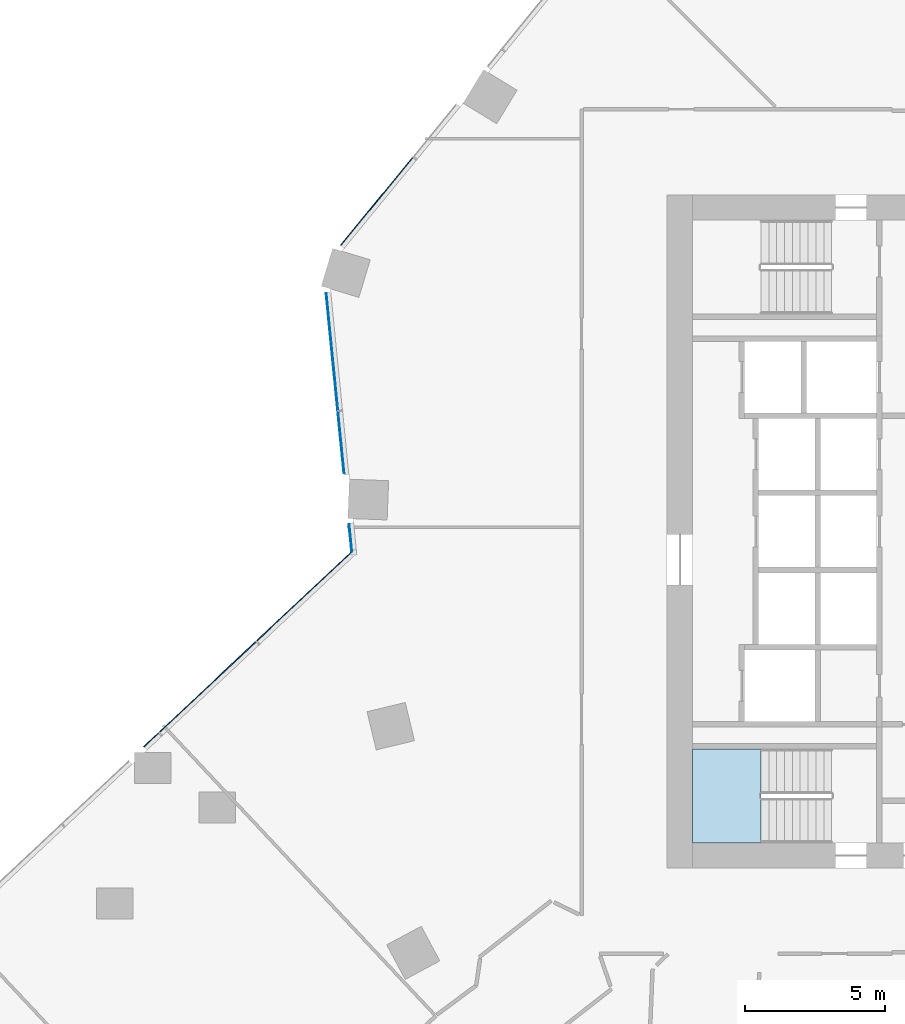
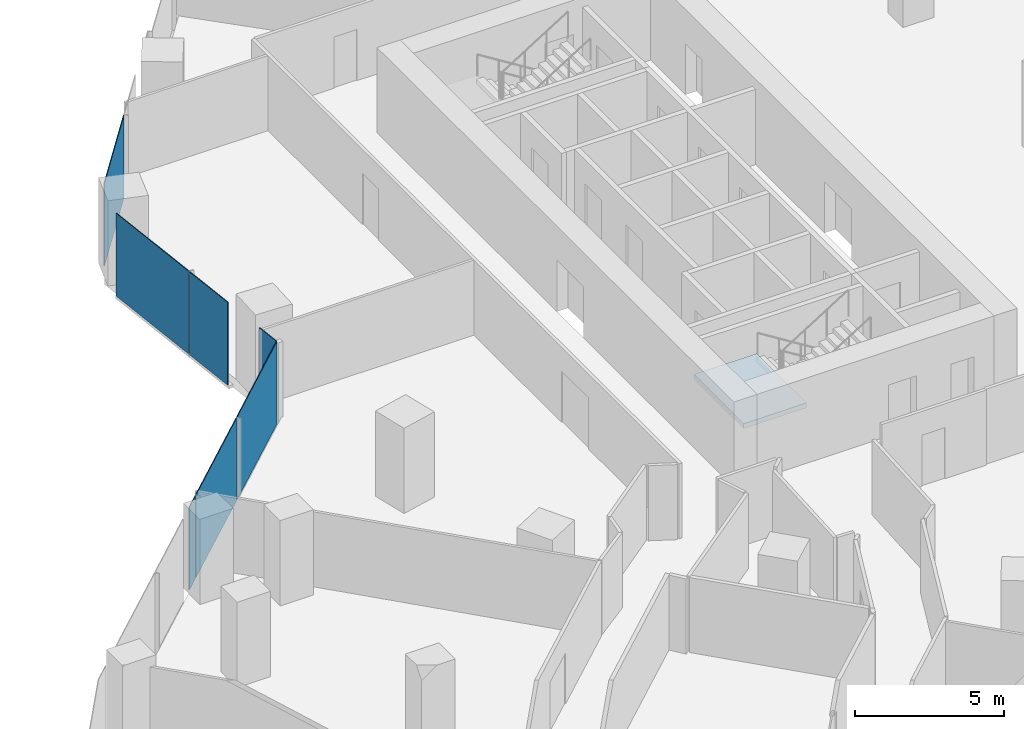
# One storey, part 19 of 33: 7 plates, 1 slab, 4 elements without a shape of their own.
"""IFC4 building model written with IfcOpenShell, lengths in metres."""

import ifcopenshell
import ifcopenshell.guid

model = None  # the IFC model being written
_history = None  # IfcOwnerHistory: only IFC2X3 demands one
_inside = {}  # id of a spatial element -> (the spatial element, [elements in it])
_under = {}  # id of a project, library or spatial element -> (it, [spatial elements below it])
_declared = {}  # id of a project -> (the project, [libraries it declares])
_typed = {}  # id of a type object -> (the type object, [elements of that type])
_made_of = {}  # id of a material, layer set ... -> (it, [elements and type objects made of it])


def new_model(schema):
    """Start an empty IFC model of exactly this schema.

    Asked for "IFC4X3", IfcOpenShell would pick the latest addendum, in which some entities
    have other attributes; the version numbers below select the first issue.
    IFC2X3 requires an IfcOwnerHistory on every rooted entity: one is made here for all.
    """
    global model, _history
    if schema == "IFC4X3":
        model = ifcopenshell.file(schema_version=(4, 3, 0, 0))
    else:
        model = ifcopenshell.file(schema=schema)
    _inside.clear()
    _under.clear()
    _declared.clear()
    _typed.clear()
    _made_of.clear()
    _history = None
    if model.schema == "IFC2X3":
        org = make("IfcOrganization", Name="unknown")
        user = make(
            "IfcPersonAndOrganization",
            ThePerson=make("IfcPerson", FamilyName="unknown"),
            TheOrganization=org,
        )
        app = make(
            "IfcApplication",
            ApplicationDeveloper=org,
            Version="unknown",
            ApplicationFullName="unknown",
            ApplicationIdentifier="unknown",
        )
        _history = make(
            "IfcOwnerHistory",
            OwningUser=user,
            OwningApplication=app,
            ChangeAction="ADDED",
            CreationDate=0,
        )
    return model


def make(cls, **values):
    """One entity of the class cls with the attributes given. An attribute that is None is left unset."""
    return model.create_entity(
        cls, **{name: value for name, value in values.items() if value is not None}
    )


def rooted(cls, **values):
    """An entity with a GlobalId (a new one), such as an element, a storey or a relation."""
    return make(cls, GlobalId=ifcopenshell.guid.new(), OwnerHistory=_history, **values)


def si_unit(unit_type, name, prefix=None):
    """IfcSIUnit, for example si_unit("LENGTHUNIT", "METRE", prefix="MILLI")."""
    return make("IfcSIUnit", UnitType=unit_type, Prefix=prefix, Name=name)


def assignment(units):
    """IfcUnitAssignment: the units of a project."""
    return None if units is None else make("IfcUnitAssignment", Units=units)


def point(xyz):
    """IfcCartesianPoint."""
    return None if xyz is None else make("IfcCartesianPoint", Coordinates=xyz)


def direction(xyz):
    """IfcDirection."""
    return None if xyz is None else make("IfcDirection", DirectionRatios=xyz)


def frame(location, z_axis=None, x_axis=None):
    """IfcAxis2Placement3D, a coordinate frame: its origin and axes. An axis left out is left unset."""
    return make(
        "IfcAxis2Placement3D",
        Location=point(location),
        Axis=direction(z_axis),
        RefDirection=direction(x_axis),
    )


def frame_2d(location, x_axis=None):
    """IfcAxis2Placement2D, a coordinate frame in the plane: its origin and x axis."""
    return make(
        "IfcAxis2Placement2D", Location=point(location), RefDirection=direction(x_axis)
    )


def origin():
    """The frame at (0, 0, 0) with its axes left unset."""
    return frame((0.0, 0.0, 0.0))


def origin_2d():
    """The frame at (0, 0) in the plane with its x axis left unset."""
    return frame_2d((0.0, 0.0))


def place(relative_to, where):
    """IfcLocalPlacement: puts the frame where relative to a parent placement (None: the world)."""
    return make(
        "IfcLocalPlacement", PlacementRelTo=relative_to, RelativePlacement=where
    )


def context(
    kind, dimensions, precision=None, world=None, true_north=None, identifier=None
):
    """IfcGeometricRepresentationContext, for example the 3D "Model" context."""
    return make(
        "IfcGeometricRepresentationContext",
        ContextIdentifier=identifier,
        ContextType=kind,
        CoordinateSpaceDimension=dimensions,
        Precision=precision,
        WorldCoordinateSystem=world,
        TrueNorth=true_north,
    )


def subcontext(parent, identifier, kind, view, scale=None):
    """IfcGeometricRepresentationSubContext, for example "Body" below "Model"."""
    return make(
        "IfcGeometricRepresentationSubContext",
        ContextIdentifier=identifier,
        ContextType=kind,
        ParentContext=parent,
        TargetScale=scale,
        TargetView=view,
    )


def project(units=None, contexts=None):
    """IfcProject with its units and contexts."""
    return rooted(
        "IfcProject",
        Name="project",
        RepresentationContexts=contexts,
        UnitsInContext=assignment(units),
    )


def spatial(cls, under=None, at=None, **own):
    """A site, building, storey or space (cls), placed at a placement, below another one or the project."""
    s = rooted(cls, ObjectPlacement=at, **own)
    if under is not None:
        _under.setdefault(under.id(), (under, []))[1].append(s)
    return s


def polyline(points):
    """IfcPolyline through the points."""
    return make("IfcPolyline", Points=[point(p) for p in points])


def profile(cls, at=None, kind="AREA", **sizes):
    """A parametric profile (cls). Its sizes go by their IFC names, for example OverallWidth=200.0."""
    return make(cls, ProfileType=kind, Position=at, **sizes)


def rectangle(**sizes):
    """IfcRectangleProfileDef."""
    return profile("IfcRectangleProfileDef", **sizes)


def outline(outer, holes=None, kind="AREA"):
    """IfcArbitraryClosedProfileDef: a profile drawn as a closed curve; with holes, ...WithVoids."""
    if holes is None:
        return make("IfcArbitraryClosedProfileDef", ProfileType=kind, OuterCurve=outer)
    return make(
        "IfcArbitraryProfileDefWithVoids",
        ProfileType=kind,
        OuterCurve=outer,
        InnerCurves=holes,
    )


def extrude(swept, where, along, depth):
    """IfcExtrudedAreaSolid: the profile swept, set in the frame where, extruded along a direction by depth."""
    return make(
        "IfcExtrudedAreaSolid",
        SweptArea=swept,
        Position=where,
        ExtrudedDirection=direction(along),
        Depth=depth,
    )


def shape(context_of_items, identifier, shape_type, items):
    """IfcShapeRepresentation: the items that make up one representation, for example the "Body"."""
    return make(
        "IfcShapeRepresentation",
        ContextOfItems=context_of_items,
        RepresentationIdentifier=identifier,
        RepresentationType=shape_type,
        Items=items,
    )


def material(Name=None, Category=None):
    """IfcMaterial."""
    return make("IfcMaterial", Name=Name, Category=Category)


def layer(
    of_material, thickness, ventilated=None, Name=None, Category=None, Priority=None
):
    """IfcMaterialLayer: one layer of a wall or slab, of a material (None: an air gap)."""
    return make(
        "IfcMaterialLayer",
        Material=of_material,
        LayerThickness=thickness,
        IsVentilated=ventilated,
        Name=Name,
        Category=Category,
        Priority=Priority,
    )


def layer_set(layers, Name=None):
    """IfcMaterialLayerSet."""
    return make("IfcMaterialLayerSet", MaterialLayers=layers, LayerSetName=Name)


def made_of(thing, what):
    """Note that an element or type object is made of a material, layer set ...; save() writes the relation."""
    if what is not None:
        _made_of.setdefault(what.id(), (what, []))[1].append(thing)
    return thing


def type_object(cls, material=None, **own):
    """A type object (cls), such as IfcWallType, which elements share."""
    return made_of(rooted(cls, **own), material)


def element(
    cls,
    number,
    at=None,
    inside=None,
    cuts=None,
    type_object=None,
    material=None,
    context=None,
    identifier="Body",
    shape_type=None,
    held_by="IfcProductDefinitionShape",
    body=None,
    shapes=None,
    **own,
):
    """One element of the class cls, such as IfcWall. Its Tag is "e" and its number.

    at: its placement. inside: the storey or other place that contains it. cuts: it is an
    opening in that element (IfcRelVoidsElement). A single representation is given by context,
    identifier, shape_type and body (its items); several are given by shapes. held_by: the class
    of the entity that holds the representations. save() writes the other relations.
    """
    e = rooted(cls, Tag="e%d" % number, ObjectPlacement=at, **own)
    if body is not None:
        shapes = [shape(context, identifier, shape_type, body)]
    if shapes is not None:
        e.Representation = make(held_by, Representations=shapes)
    if inside is not None:
        _inside.setdefault(inside.id(), (inside, []))[1].append(e)
    if cuts is not None:
        rooted(
            "IfcRelVoidsElement", RelatingBuildingElement=cuts, RelatedOpeningElement=e
        )
    if type_object is not None:
        _typed.setdefault(type_object.id(), (type_object, []))[1].append(e)
    return made_of(e, material)


def aggregate(whole, parts):
    """IfcRelAggregates: a whole, such as a stair, and the parts it consists of."""
    return rooted("IfcRelAggregates", RelatingObject=whole, RelatedObjects=parts)


def save(model, path):
    """Write the relations noted so far, then the file.

    IfcRelAggregates (storeys below a building ...), IfcRelContainedInSpatialStructure (elements
    in a storey), IfcRelDefinesByType, IfcRelAssociatesMaterial and IfcRelDeclares: one each for
    every whole, place, type object, material and project.
    """
    for whole, parts in _under.values():
        aggregate(whole, parts)
    for where, things in _inside.values():
        rooted(
            "IfcRelContainedInSpatialStructure",
            RelatedElements=things,
            RelatingStructure=where,
        )
    for kind, things in _typed.values():
        rooted("IfcRelDefinesByType", RelatedObjects=things, RelatingType=kind)
    for what, things in _made_of.values():
        rooted("IfcRelAssociatesMaterial", RelatedObjects=things, RelatingMaterial=what)
    for by, libraries in _declared.values():
        rooted("IfcRelDeclares", RelatingContext=by, RelatedDefinitions=libraries)
    model.write(path)


model = new_model("IFC4")

# Units and contexts
model_context = context("Model", 3, precision=1e-05, world=origin(), true_north=direction((0.0, 1.0)))
body_context = subcontext(model_context, "Body", "Model", "MODEL_VIEW")
ifc_project = project(units=[si_unit("LENGTHUNIT", "METRE"), si_unit("AREAUNIT", "SQUARE_METRE"), si_unit("VOLUMEUNIT", "CUBIC_METRE"), si_unit("PLANEANGLEUNIT", "RADIAN"), si_unit("MASSUNIT", "GRAM", prefix="KILO")], contexts=[model_context])

# Site, building, storey
site_placement = place(None, origin())
site = spatial("IfcSite", under=ifc_project, at=site_placement, CompositionType="ELEMENT")
building_placement = place(site_placement, origin())
building = spatial("IfcBuilding", under=site, at=building_placement, Name="Orlundy Tower", CompositionType="ELEMENT")
storey_placement = place(building_placement, frame((0.0, 0.0, 51.300048828125)))
storey = spatial("IfcBuildingStorey", under=building, at=storey_placement, Name="L11", CompositionType="ELEMENT", Elevation=51.300048828125)

# Curtain wall, plates
ifc_material_1 = material(Name="Aluminium bronze anodised", Category="aluminium")
curtain_wall_type = type_object("IfcCurtainWallType", Name="CW1 wall", PredefinedType="NOTDEFINED", material=ifc_material_1)
curtain_wall_1_placement = place(storey_placement, origin())
curtain_wall_1 = element("IfcCurtainWall", 1, at=curtain_wall_1_placement, inside=storey, type_object=curtain_wall_type, Name="CW1 run 00", PredefinedType="NOTDEFINED")
ifc_material_2 = material(Name="Tinted glass", Category="glass")
ifc_layer_1 = layer(ifc_material_2, 0.031982421875)
ifc_layer_set_1 = layer_set([ifc_layer_1], Name="CW1 glass panel 32")
plate_type = type_object("IfcPlateType", Name="CW1 glass panel 32", PredefinedType="CURTAIN_PANEL", material=ifc_layer_set_1)
plate_1_placement = place(storey_placement, frame((-37.397705078125, -7.431640625, -0.300048828125), z_axis=(0.0, 0.0, 1.0), x_axis=(0.729351371178, 0.684139296752, 0.0)))
plate_1 = element("IfcPlate", 2, at=plate_1_placement, type_object=plate_type, Name="CW1 panel", PredefinedType="CURTAIN_PANEL", context=body_context, shape_type="SweptSolid", body=[
    extrude(rectangle(XDim=0.714599609375, YDim=0.031982421875, at=origin_2d()), origin(), (0.0, 0.0, 1.0), 3.39990234375),
])
plate_2_placement = place(storey_placement, frame((-35.384765625, -5.54345703125, -0.300048828125), z_axis=(0.0, 0.0, 1.0), x_axis=(0.729351371178, 0.684139296752, 0.0)))
plate_2 = element("IfcPlate", 3, at=plate_2_placement, type_object=plate_type, Name="CW1 panel", PredefinedType="CURTAIN_PANEL", context=body_context, shape_type="SweptSolid", body=[
    extrude(rectangle(XDim=4.705322265625, YDim=0.031982421875, at=origin_2d()), origin(), (0.0, 0.0, 1.0), 3.39990234375),
])
plate_3_placement = place(storey_placement, frame((-31.936767578125, -2.30908203125, -0.300048828125), z_axis=(0.0, 0.0, 1.0), x_axis=(0.729351371178, 0.684139296752, 0.0)))
plate_3 = element("IfcPlate", 4, at=plate_3_placement, type_object=plate_type, Name="CW1 panel", PredefinedType="CURTAIN_PANEL", context=body_context, shape_type="SweptSolid", body=[
    extrude(rectangle(XDim=4.6494140625, YDim=0.031982421875, at=origin_2d()), origin(), (0.0, 0.0, 1.0), 3.39990234375),
])
aggregate(curtain_wall_1, [plate_1, plate_2, plate_3])

curtain_wall_2_placement = place(storey_placement, origin())
curtain_wall_2 = element("IfcCurtainWall", 5, at=curtain_wall_2_placement, inside=storey, type_object=curtain_wall_type, Name="CW1 run 01", PredefinedType="NOTDEFINED")
plate_4_placement = place(storey_placement, frame((-30.289794921875, -0.228515625, -0.300048828125), z_axis=(0.0, 0.0, 1.0), x_axis=(-0.098671826867, 0.995120028229, 0.0)))
plate_4 = element("IfcPlate", 6, at=plate_4_placement, type_object=plate_type, Name="CW1 panel", PredefinedType="CURTAIN_PANEL", context=body_context, shape_type="SweptSolid", body=[
    extrude(rectangle(XDim=0.98486328125, YDim=0.031982421875, at=origin_2d()), origin(), (0.0, 0.0, 1.0), 3.39990234375),
])
plate_5_placement = place(storey_placement, frame((-30.626708984375, 3.169189453125, -0.300048828125), z_axis=(0.0, 0.0, 1.0), x_axis=(-0.098671826867, 0.995120028229, 0.0)))
plate_5 = element("IfcPlate", 7, at=plate_5_placement, type_object=plate_type, Name="CW1 panel", PredefinedType="CURTAIN_PANEL", context=body_context, shape_type="SweptSolid", body=[
    extrude(rectangle(XDim=2.210205078125, YDim=0.031982421875, at=origin_2d()), origin(), (0.0, 0.0, 1.0), 3.39990234375),
])
plate_6_placement = place(storey_placement, frame((-30.947265625, 6.40185546875, -0.300048828125), z_axis=(0.0, 0.0, 1.0), x_axis=(-0.098671826867, 0.995120028229, 0.0)))
plate_6 = element("IfcPlate", 8, at=plate_6_placement, type_object=plate_type, Name="CW1 panel", PredefinedType="CURTAIN_PANEL", context=body_context, shape_type="SweptSolid", body=[
    extrude(rectangle(XDim=4.186767578125, YDim=0.031982421875, at=origin_2d()), origin(), (0.0, 0.0, 1.0), 3.39990234375),
])
aggregate(curtain_wall_2, [plate_4, plate_5, plate_6])

# Curtain wall, plate
curtain_wall_3_placement = place(storey_placement, origin())
curtain_wall_3 = element("IfcCurtainWall", 9, at=curtain_wall_3_placement, inside=storey, type_object=curtain_wall_type, Name="CW1 run 02", PredefinedType="NOTDEFINED")
plate_7_placement = place(storey_placement, frame((-29.3525390625, 11.77001953125, -0.300048828125), z_axis=(0.0, 0.0, 1.0), x_axis=(0.633818264458, 0.773482002143, 0.0)))
plate_7 = element("IfcPlate", 10, at=plate_7_placement, type_object=plate_type, Name="CW1 panel", PredefinedType="CURTAIN_PANEL", context=body_context, shape_type="SweptSolid", body=[
    extrude(rectangle(XDim=4.039306640625, YDim=0.031982421875, at=origin_2d()), origin(), (0.0, 0.0, 1.0), 3.39990234375),
])
aggregate(curtain_wall_3, [plate_7])

# Stair, slab
ifc_material_3 = material(Name="Concrete C50/60", Category="concrete")
stair_type = type_object("IfcStairType", Name="Exit Stair 20 risers", PredefinedType="HALF_TURN_STAIR", material=ifc_material_3)
stair_placement = place(storey_placement, origin())
stair = element("IfcStair", 11, at=stair_placement, inside=storey, type_object=stair_type, Name="L11 Exit Stair ST-W2", PredefinedType="HALF_TURN_STAIR")
ifc_material_4 = material(Name="Concrete C50/60", Category="concrete")
ifc_layer_2 = layer(ifc_material_4, 0.199951171875)
ifc_layer_set_2 = layer_set([ifc_layer_2], Name="Exit Stair Landing")
slab_type = type_object("IfcSlabType", Name="Exit Stair Landing", PredefinedType="LANDING", material=ifc_layer_set_2)
slab_placement = place(storey_placement, frame((0.0, 0.0, 1.550048828125)))
slab = element("IfcSlab", 12, at=slab_placement, type_object=slab_type, Name="ST-W2 landing 1", PredefinedType="LANDING", context=body_context, shape_type="SweptSolid", body=[
    extrude(outline(polyline([(-15.659912109375, -7.75), (-18.10009765625, -7.75), (-18.10009765625, -11.10009765625), (-15.659912109375, -11.10009765625), (-15.659912109375, -7.75)])), origin(), (0.0, 0.0, 1.0), 0.199951171875),
])
aggregate(stair, [slab])

save(model, "model.ifc")
